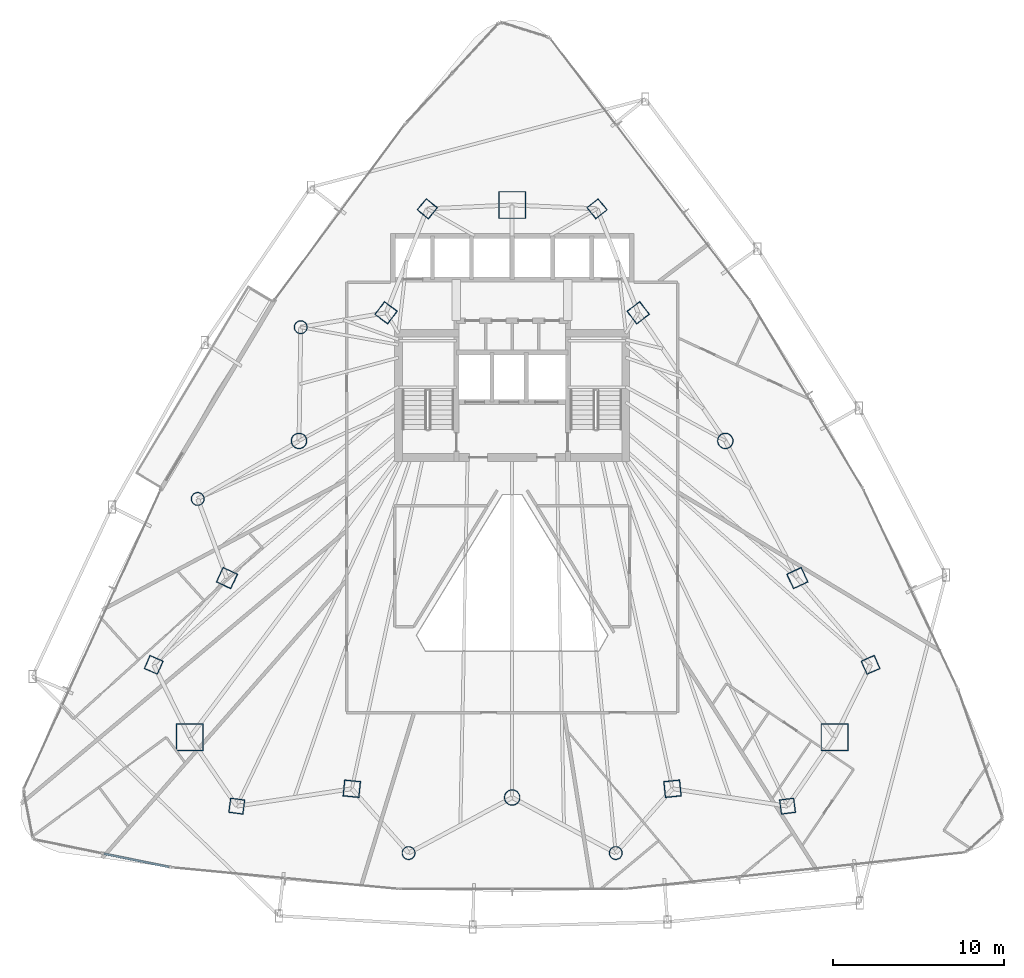
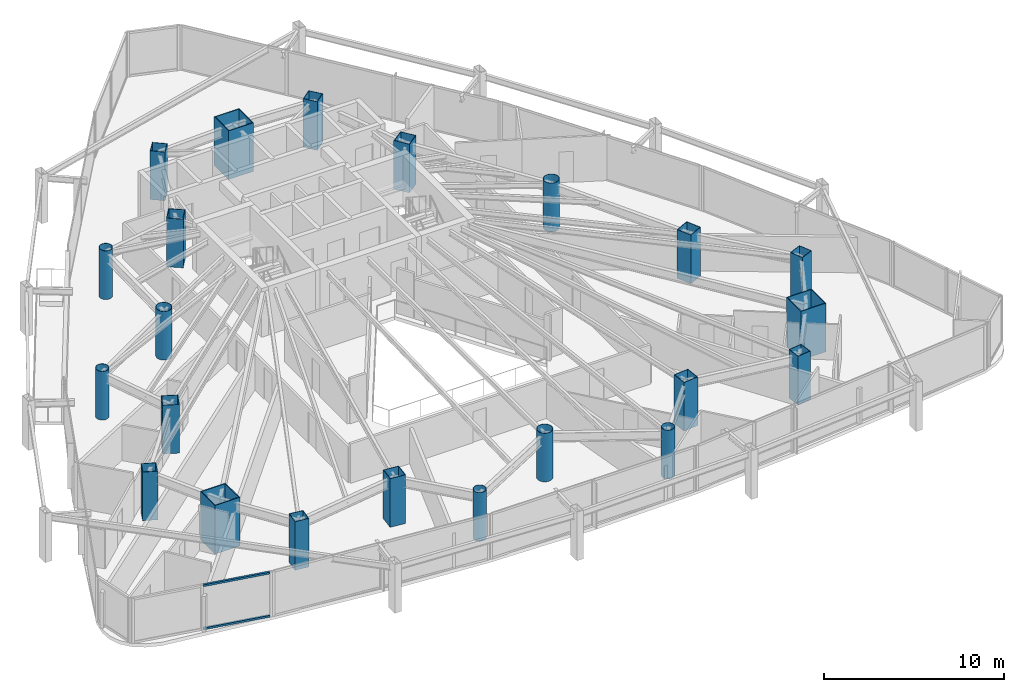
# One storey, part 1 of 38: 22 columns, 2 members, 1 element without a shape of its own.
"""IFC4 building model written with IfcOpenShell, lengths in metres."""

from ifc_helpers import new_model, si_unit, direction, frame, origin, origin_2d, place, context, subcontext, project, spatial, hollow_rectangle, hollow_circle, extrude, material, layer, layer_set, material_profile, profile_set, type_object, element, aggregate, save


model = new_model("IFC4")

# Units and contexts
model_context = context("Model", 3, precision=1e-05, world=origin(), true_north=direction((0.0, 1.0)))
body_context = subcontext(model_context, "Body", "Model", "MODEL_VIEW")
ifc_project = project(units=[si_unit("LENGTHUNIT", "METRE"), si_unit("AREAUNIT", "SQUARE_METRE"), si_unit("VOLUMEUNIT", "CUBIC_METRE"), si_unit("PLANEANGLEUNIT", "RADIAN"), si_unit("MASSUNIT", "GRAM", prefix="KILO")], contexts=[model_context])

# Site, building, storey
site_placement = place(None, origin())
site = spatial("IfcSite", under=ifc_project, at=site_placement, CompositionType="ELEMENT")
building_placement = place(site_placement, origin())
building = spatial("IfcBuilding", under=site, at=building_placement, Name="Orvanel Arch Residences", CompositionType="ELEMENT")
storey_placement = place(building_placement, frame((0.0, 0.0, 46.699951171875)))
storey = spatial("IfcBuildingStorey", under=building, at=storey_placement, Name="L12", CompositionType="ELEMENT", Elevation=46.699951171875)

# Columns
ifc_material_1 = material(Name="Structural steel AS/NZS 1163 C450L0 (Grade 450)", Category="steel")
ifc_material_profile_1 = material_profile(ifc_material_1, hollow_circle(Radius=0.381103515625, WallThickness=0.02197265625, at=origin_2d()), Name="CHS762x22")
ifc_profile_set_1 = profile_set([ifc_material_profile_1], Name="Structural steel AS/NZS 1163 C450L0 (Grade 450)")
column_type_1 = type_object("IfcColumnType", Name="CC-762", PredefinedType="COLUMN", material=ifc_profile_set_1)
for number, where, z_axis, x_axis, name in (
    (1, (20.669921875, 34.27099609375, 0.0), (0.0, 0.0, 1.0), (1.0, 0.0, 0.0), "L12 Low-Rise Buttress Tube Column 01"),
    (2, (14.662109375, 24.256103515625, 0.0), (0.0, 0.0, 1.0), (1.0, 0.0, 0.0), "L12 Low-Rise Buttress Tube Column 02"),
    (3, (26.9580078125, 3.60498046875, 0.0), (0.0, 0.0, 1.0), (1.0, 0.0, 0.0), "L12 Low-Rise Buttress Tube Column 03"),
    (4, (39.0419921875, 3.60498046875, 0.0), (0.0, 0.0, 1.0), (1.0, 0.0, 0.0), "L12 Low-Rise Buttress Tube Column 04"),
):
    element("IfcColumn", number, at=place(storey_placement, frame(where, z_axis=z_axis, x_axis=x_axis)), inside=storey, type_object=column_type_1, Name=name, PredefinedType="COLUMN", context=body_context, shape_type="SweptSolid", body=[
        extrude(hollow_circle(Radius=0.381103515625, WallThickness=0.02197265625, at=origin_2d()), origin(), (0.0, 0.0, 1.0), 3.300048828125),
    ])
ifc_material_profile_2 = material_profile(ifc_material_1, hollow_circle(Radius=0.45703125, WallThickness=0.02490234375, at=origin_2d()), Name="CHS914x25")
ifc_profile_set_2 = profile_set([ifc_material_profile_2], Name="Structural steel AS/NZS 1163 C450L0 (Grade 450)")
column_type_2 = type_object("IfcColumnType", Name="CC-914", PredefinedType="COLUMN", material=ifc_profile_set_2)
for number, where, z_axis, x_axis, name in (
    (5, (20.569091796875, 27.64111328125, 0.0), (0.0, 0.0, 1.0), (1.0, 0.0, 0.0), "L12 High-Rise Tube Column 02"),
    (6, (33.0, 6.843994140625, 0.0), (0.0, 0.0, 1.0), (1.0, 0.0, 0.0), "L12 High-Rise Tube Column 05"),
    (7, (45.430908203125, 27.64111328125, 0.0), (0.0, 0.0, 1.0), (1.0, 0.0, 0.0), "L12 High-Rise Tube Column 08"),
):
    element("IfcColumn", number, at=place(storey_placement, frame(where, z_axis=z_axis, x_axis=x_axis)), inside=storey, type_object=column_type_2, Name=name, PredefinedType="COLUMN", context=body_context, shape_type="SweptSolid", body=[
        extrude(hollow_circle(Radius=0.45703125, WallThickness=0.02490234375, at=origin_2d()), origin(), (0.0, 0.0, 1.0), 3.300048828125),
    ])
ifc_material_2 = material(Name="Structural steel AS/NZS 3678 Grade 450", Category="steel")
ifc_material_profile_3 = material_profile(ifc_material_2, hollow_rectangle(XDim=1.60009765625, YDim=1.60009765625, WallThickness=0.050048828125, at=origin_2d()), Name="BOX1600x1600x50")
ifc_profile_set_3 = profile_set([ifc_material_profile_3], Name="Structural steel AS/NZS 3678 Grade 450")
column_type_3 = type_object("IfcColumnType", Name="MC-1600", PredefinedType="COLUMN", material=ifc_profile_set_3)
for number, where, z_axis, x_axis, name in (
    (8, (33.0, 41.39794921875, 0.0), (0.0, 0.0, 1.0), (1.0, 0.0, 0.0), "L12 Corner Mega-Column 1"),
    (9, (14.198974609375, 10.35107421875, 0.0), (0.0, 0.0, 1.0), (1.0, 0.0, 0.0), "L12 Corner Mega-Column 2"),
    (10, (51.801025390625, 10.35107421875, 0.0), (0.0, 0.0, 1.0), (1.0, 0.0, 0.0), "L12 Corner Mega-Column 3"),
):
    element("IfcColumn", number, at=place(storey_placement, frame(where, z_axis=z_axis, x_axis=x_axis)), inside=storey, type_object=column_type_3, Name=name, PredefinedType="COLUMN", context=body_context, shape_type="SweptSolid", body=[
        extrude(hollow_rectangle(XDim=1.60009765625, YDim=1.60009765625, WallThickness=0.050048828125, at=origin_2d()), origin(), (0.0, 0.0, 1.0), 3.300048828125),
    ])
ifc_material_3 = material(Name="Structural steel AS/NZS 3678 Grade 350", Category="steel")
ifc_material_profile_4 = material_profile(ifc_material_3, hollow_rectangle(XDim=0.85009765625, YDim=0.85009765625, WallThickness=0.028076171875, at=origin_2d()), Name="BOX850x850x28")
ifc_profile_set_4 = profile_set([ifc_material_profile_4], Name="Structural steel AS/NZS 3678 Grade 350")
column_type_4 = type_object("IfcColumnType", Name="TC-850", PredefinedType="COLUMN", material=ifc_profile_set_4)
for number, where, z_axis, x_axis, name in (
    (11, (28.050048828125, 41.177978515625, 0.0), (0.0, 0.0, 1.0), (0.623879596709, 0.781520472419, 0.0), "L12 Mid-Rise Buttress Tube Column 01"),
    (12, (12.094970703125, 14.580078125, 0.0), (0.0, 0.0, 1.0), (0.397147890635, 0.917754625684, 0.0), "L12 Mid-Rise Buttress Tube Column 02"),
    (13, (16.94091796875, 6.339111328125, 0.0), (0.0, 0.0, 1.0), (-0.99189444259, 0.127064608601, 0.0), "L12 Mid-Rise Buttress Tube Column 03"),
    (14, (49.05908203125, 6.339111328125, 0.0), (0.0, 0.0, 1.0), (0.99189444259, 0.127064608601, 0.0), "L12 Mid-Rise Buttress Tube Column 04"),
    (15, (53.905029296875, 14.580078125, 0.0), (0.0, 0.0, 1.0), (-0.397147890635, 0.917754625684, 0.0), "L12 Mid-Rise Buttress Tube Column 05"),
    (16, (37.949951171875, 41.177978515625, 0.0), (0.0, 0.0, 1.0), (-0.623879596709, 0.781520472419, 0.0), "L12 Mid-Rise Buttress Tube Column 06"),
):
    element("IfcColumn", number, at=place(storey_placement, frame(where, z_axis=z_axis, x_axis=x_axis)), inside=storey, type_object=column_type_4, Name=name, PredefinedType="COLUMN", context=body_context, shape_type="SweptSolid", body=[
        extrude(hollow_rectangle(XDim=0.85009765625, YDim=0.85009765625, WallThickness=0.028076171875, at=origin_2d()), origin(), (0.0, 0.0, 1.0), 3.300048828125),
    ])
ifc_material_profile_5 = material_profile(ifc_material_3, hollow_rectangle(XDim=0.949951171875, YDim=0.949951171875, WallThickness=0.031982421875, at=origin_2d()), Name="BOX950x950x32")
ifc_profile_set_5 = profile_set([ifc_material_profile_5], Name="Structural steel AS/NZS 3678 Grade 350")
column_type_5 = type_object("IfcColumnType", Name="TC-950", PredefinedType="COLUMN", material=ifc_profile_set_5)
for number, where, z_axis, x_axis, name in (
    (17, (25.64794921875, 35.113037109375, 0.0), (0.0, 0.0, 1.0), (0.600420225326, 0.799684658487, 0.0), "L12 High-Rise Tube Column 01"),
    (18, (16.366943359375, 19.64208984375, 0.0), (0.0, 0.0, 1.0), (0.422618261741, 0.906307787037, 0.0), "L12 High-Rise Tube Column 03"),
    (19, (23.64892578125, 7.35498046875, 0.0), (0.0, 0.0, 1.0), (-0.994880708829, 0.101056297183, 0.0), "L12 High-Rise Tube Column 04"),
    (20, (42.35107421875, 7.35498046875, 0.0), (0.0, 0.0, 1.0), (0.994880708829, 0.101056297183, 0.0), "L12 High-Rise Tube Column 06"),
    (21, (49.633056640625, 19.64208984375, 0.0), (0.0, 0.0, 1.0), (-0.422618261741, 0.906307787037, 0.0), "L12 High-Rise Tube Column 07"),
    (22, (40.35205078125, 35.113037109375, 0.0), (0.0, 0.0, 1.0), (-0.600420225326, 0.799684658487, 0.0), "L12 High-Rise Tube Column 09"),
):
    element("IfcColumn", number, at=place(storey_placement, frame(where, z_axis=z_axis, x_axis=x_axis)), inside=storey, type_object=column_type_5, Name=name, PredefinedType="COLUMN", context=body_context, shape_type="SweptSolid", body=[
        extrude(hollow_rectangle(XDim=0.949951171875, YDim=0.949951171875, WallThickness=0.031982421875, at=origin_2d()), origin(), (0.0, 0.0, 1.0), 3.300048828125),
    ])

# Curtain wall, members
ifc_material_4 = material(Name="Bronze-anodised aluminium AA6063-T6", Category="aluminium")
ifc_layer = layer(ifc_material_4, 0.18994140625)
ifc_layer_set = layer_set([ifc_layer], Name="Bronze-anodised aluminium AA6063-T6")
curtain_wall_type = type_object("IfcCurtainWallType", Name="CW5-CRN-SYS", PredefinedType="NOTDEFINED", material=ifc_layer_set)
curtain_wall_placement = place(storey_placement, origin())
curtain_wall = element("IfcCurtainWall", 23, at=curtain_wall_placement, inside=storey, type_object=curtain_wall_type, Name="L12 CW5-CRN-SYS Unitised Curtain Wall", PredefinedType="NOTDEFINED")
ifc_material_profile_6 = material_profile(ifc_material_4, hollow_rectangle(XDim=0.1298828125, YDim=0.1298828125, WallThickness=0.00439453125, at=origin_2d()), Name="ALU130x130x4.5")
ifc_profile_set_6 = profile_set([ifc_material_profile_6], Name="Bronze-anodised aluminium AA6063-T6")
member_type = type_object("IfcMemberType", Name="TRN-130x130", PredefinedType="USERDEFINED", material=ifc_profile_set_6)
member_1_placement = place(storey_placement, frame((9.18994140625, 3.568115234375, 0.06494140625), z_axis=(0.979964722217, -0.199171140504, 0.0), x_axis=(0.199171140504, 0.979964722217, 0.0)))
member_1 = element("IfcMember", 24, at=member_1_placement, type_object=member_type, Name="CW-S5 transom 2.1", ObjectType="TRANSOM", PredefinedType="USERDEFINED", context=body_context, shape_type="SweptSolid", body=[
    extrude(hollow_rectangle(XDim=0.1298828125, YDim=0.1298828125, WallThickness=0.00439453125, at=origin_2d()), origin(), (0.0, 0.0, 1.0), 3.886962890625),
])
member_2_placement = place(storey_placement, frame((9.18994140625, 3.568115234375, 2.9951171875), z_axis=(0.979964722217, -0.199171140504, 0.0), x_axis=(0.199171140504, 0.979964722217, 0.0)))
member_2 = element("IfcMember", 25, at=member_2_placement, type_object=member_type, Name="CW-S5 transom 2.2", ObjectType="TRANSOM", PredefinedType="USERDEFINED", context=body_context, shape_type="SweptSolid", body=[
    extrude(hollow_rectangle(XDim=0.1298828125, YDim=0.1298828125, WallThickness=0.00439453125, at=origin_2d()), origin(), (0.0, 0.0, 1.0), 3.886962890625),
])
aggregate(curtain_wall, [member_1, member_2])

save(model, "model.ifc")
